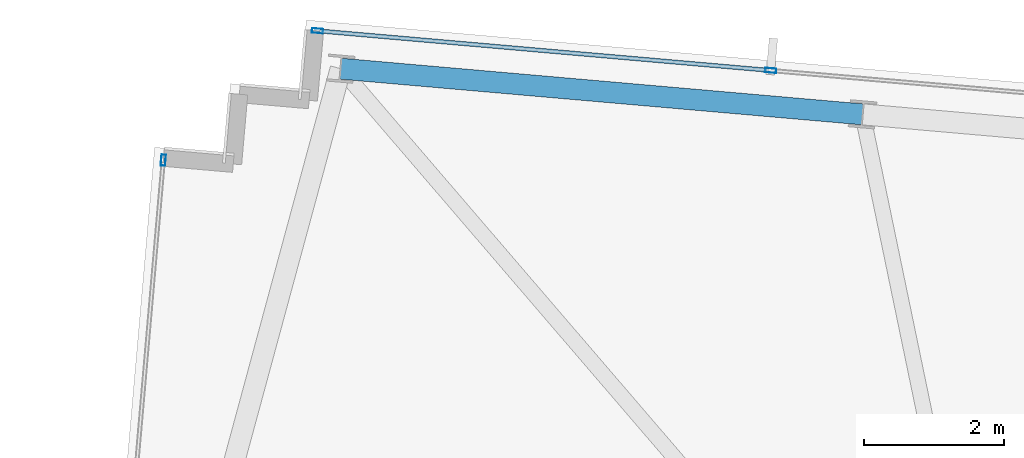
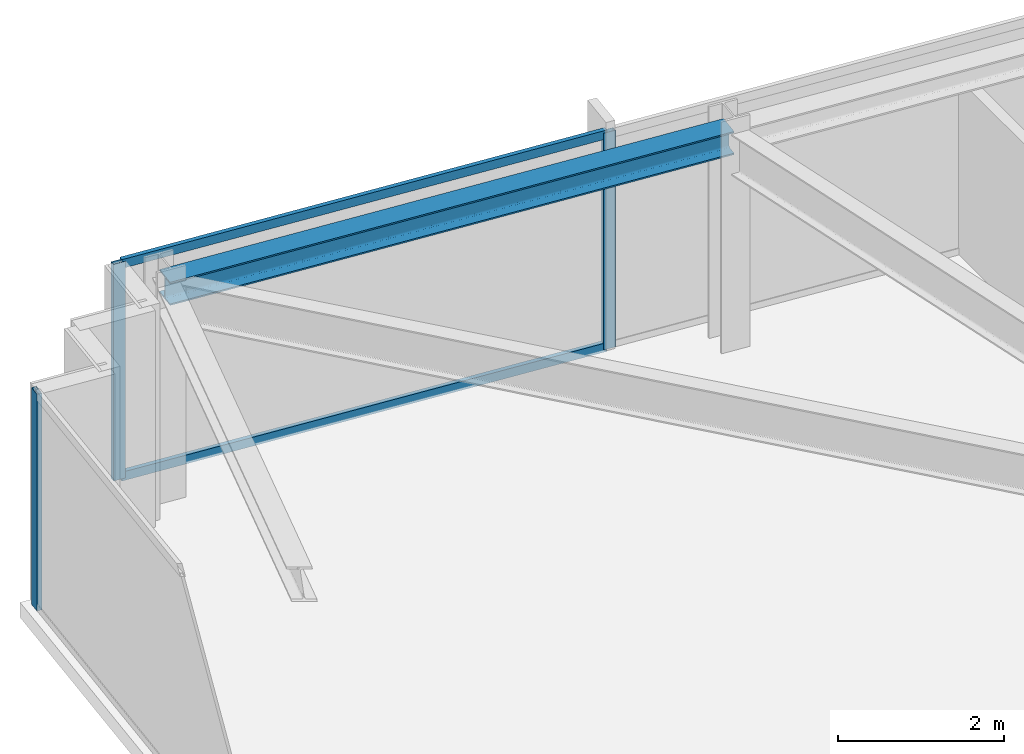
# One storey, part 23 of 33: 5 members, 1 beam, 2 elements without a shape of their own.
"""IFC4 building model written with IfcOpenShell, lengths in metres."""

from ifc_helpers import new_model, si_unit, direction, frame, origin, origin_2d, place, context, subcontext, project, spatial, hollow_rectangle, i_section, extrude, material, material_profile, profile_set, type_object, element, aggregate, save


model = new_model("IFC4")

# Units and contexts
model_context = context("Model", 3, precision=1e-05, world=origin(), true_north=direction((0.0, 1.0)))
body_context = subcontext(model_context, "Body", "Model", "MODEL_VIEW")
ifc_project = project(units=[si_unit("LENGTHUNIT", "METRE"), si_unit("AREAUNIT", "SQUARE_METRE"), si_unit("VOLUMEUNIT", "CUBIC_METRE"), si_unit("PLANEANGLEUNIT", "RADIAN"), si_unit("MASSUNIT", "GRAM", prefix="KILO")], contexts=[model_context])

# Site, building, storey
site_placement = place(None, origin())
site = spatial("IfcSite", under=ifc_project, at=site_placement, CompositionType="ELEMENT")
building_placement = place(site_placement, origin())
building = spatial("IfcBuilding", under=site, at=building_placement, Name="Yelkora Congress Tower", CompositionType="ELEMENT")
storey_placement = place(building_placement, frame((0.0, 0.0, 286.300048828125)))
storey = spatial("IfcBuildingStorey", under=building, at=storey_placement, Name="L80", CompositionType="ELEMENT", Elevation=286.300048828125)

# Beam
ifc_material_1 = material(Name="Steel S355J2", Category="steel")
ifc_material_profile_1 = material_profile(ifc_material_1, i_section(OverallWidth=0.300048828125, OverallDepth=0.340087890625, WebThickness=0.011962890625, FlangeThickness=0.021484375, FilletRadius=0.027099609375, at=origin_2d()), Name="HEB 340")
ifc_profile_set_1 = profile_set([ifc_material_profile_1], Name="Steel S355J2")
beam_type = type_object("IfcBeamType", Name="BM-SPAN-HEB340", PredefinedType="SPANDREL", material=ifc_profile_set_1)
beam_placement = place(storey_placement, frame((18.058837890625, 49.231689453125, 3.010009765625), z_axis=(-0.996193186297, 0.08717302092, 0.0), x_axis=(-0.08717302092, -0.996193186297, 0.0)))
element("IfcBeam", 1, at=beam_placement, inside=storey, type_object=beam_type, Name="L80 Perimeter Beam 12", PredefinedType="SPANDREL", context=body_context, shape_type="SweptSolid", body=[
    extrude(i_section(OverallWidth=0.300048828125, OverallDepth=0.340087890625, WebThickness=0.011962890625, FlangeThickness=0.021484375, FilletRadius=0.027099609375, at=origin_2d()), origin(), (0.0, 0.0, 1.0), 7.4833984375),
])

# Curtain wall, member
ifc_material_2 = material(Name="Anodised aluminium and insulated glass", Category="aluminium")
curtain_wall_type = type_object("IfcCurtainWallType", Name="CW-SYS-B5", PredefinedType="NOTDEFINED", material=ifc_material_2)
curtain_wall_1_placement = place(storey_placement, origin())
curtain_wall_1 = element("IfcCurtainWall", 2, at=curtain_wall_1_placement, inside=storey, type_object=curtain_wall_type, Name="L80 Unitised Curtain Wall 5", PredefinedType="NOTDEFINED")
ifc_material_3 = material(Name="Anodised aluminium 6063-T6", Category="aluminium")
ifc_material_profile_2 = material_profile(ifc_material_3, hollow_rectangle(XDim=0.06494140625, YDim=0.159912109375, WallThickness=0.00390625, at=origin_2d()), Name="ALU 65x160x4")
ifc_profile_set_2 = profile_set([ifc_material_profile_2], Name="Anodised aluminium 6063-T6")
member_type_1 = type_object("IfcMemberType", Name="MEM-ML-B5", PredefinedType="MULLION", material=ifc_profile_set_2)
member_1_placement = place(storey_placement, frame((8.070556640625, 48.577392578125, 0.0), z_axis=(0.0, 0.0, 1.0), x_axis=(-0.996194785929, 0.08715473876, 0.0)))
member_1 = element("IfcMember", 3, at=member_1_placement, type_object=member_type_1, Name="CW-B5 mullion 5", PredefinedType="MULLION", context=body_context, shape_type="SweptSolid", body=[
    extrude(hollow_rectangle(XDim=0.06494140625, YDim=0.159912109375, WallThickness=0.00390625, at=origin_2d()), origin(), (0.0, 0.0, 1.0), 3.179931640625),
])
aggregate(curtain_wall_1, [member_1])

# Curtain wall, members
curtain_wall_2_placement = place(storey_placement, origin())
curtain_wall_2 = element("IfcCurtainWall", 4, at=curtain_wall_2_placement, inside=storey, type_object=curtain_wall_type, Name="L80 Unitised Curtain Wall 10", PredefinedType="NOTDEFINED")
member_2_placement = place(storey_placement, frame((10.2724609375, 50.425048828125, 0.0), z_axis=(0.0, 0.0, 1.0), x_axis=(0.087156639893, 0.996194619601, 0.0)))
member_2 = element("IfcMember", 5, at=member_2_placement, type_object=member_type_1, Name="CW-B5 mullion 1", PredefinedType="MULLION", context=body_context, shape_type="SweptSolid", body=[
    extrude(hollow_rectangle(XDim=0.06494140625, YDim=0.159912109375, WallThickness=0.00390625, at=origin_2d()), origin(), (0.0, 0.0, 1.0), 3.179931640625),
])
member_3_placement = place(storey_placement, frame((16.74658203125, 49.858642578125, 0.0), z_axis=(0.0, 0.0, 1.0), x_axis=(0.087156639893, 0.996194619601, 0.0)))
member_3 = element("IfcMember", 6, at=member_3_placement, type_object=member_type_1, Name="CW-B5 mullion 2", PredefinedType="MULLION", context=body_context, shape_type="SweptSolid", body=[
    extrude(hollow_rectangle(XDim=0.06494140625, YDim=0.159912109375, WallThickness=0.00390625, at=origin_2d()), origin(), (0.0, 0.0, 1.0), 3.179931640625),
])
ifc_material_profile_3 = material_profile(ifc_material_3, hollow_rectangle(XDim=0.06005859375, YDim=0.1298828125, WallThickness=0.00390625, at=origin_2d()), Name="ALU 60x130x4")
ifc_profile_set_3 = profile_set([ifc_material_profile_3], Name="Anodised aluminium 6063-T6")
member_type_2 = type_object("IfcMemberType", Name="MEM-TR-B5", PredefinedType="USERDEFINED", material=ifc_profile_set_3)
member_4_placement = place(storey_placement, frame((10.3046875, 50.422119140625, 0.030029296875), z_axis=(0.996194170551, -0.08716177236, 0.0), x_axis=(0.08716177236, 0.996194170551, 0.0)))
member_4 = element("IfcMember", 7, at=member_4_placement, type_object=member_type_2, Name="CW-B5 transom 1.1", ObjectType="TRANSOM", PredefinedType="USERDEFINED", context=body_context, shape_type="SweptSolid", body=[
    extrude(hollow_rectangle(XDim=0.06005859375, YDim=0.1298828125, WallThickness=0.00390625, at=origin_2d()), origin(), (0.0, 0.0, 1.0), 6.433837890625),
])
member_5_placement = place(storey_placement, frame((10.3046875, 50.422119140625, 3.14990234375), z_axis=(0.996194170551, -0.08716177236, 0.0), x_axis=(0.08716177236, 0.996194170551, 0.0)))
member_5 = element("IfcMember", 8, at=member_5_placement, type_object=member_type_2, Name="CW-B5 transom 1.2", ObjectType="TRANSOM", PredefinedType="USERDEFINED", context=body_context, shape_type="SweptSolid", body=[
    extrude(hollow_rectangle(XDim=0.06005859375, YDim=0.1298828125, WallThickness=0.00390625, at=origin_2d()), origin(), (0.0, 0.0, 1.0), 6.433837890625),
])
aggregate(curtain_wall_2, [member_2, member_3, member_4, member_5])

save(model, "model.ifc")
